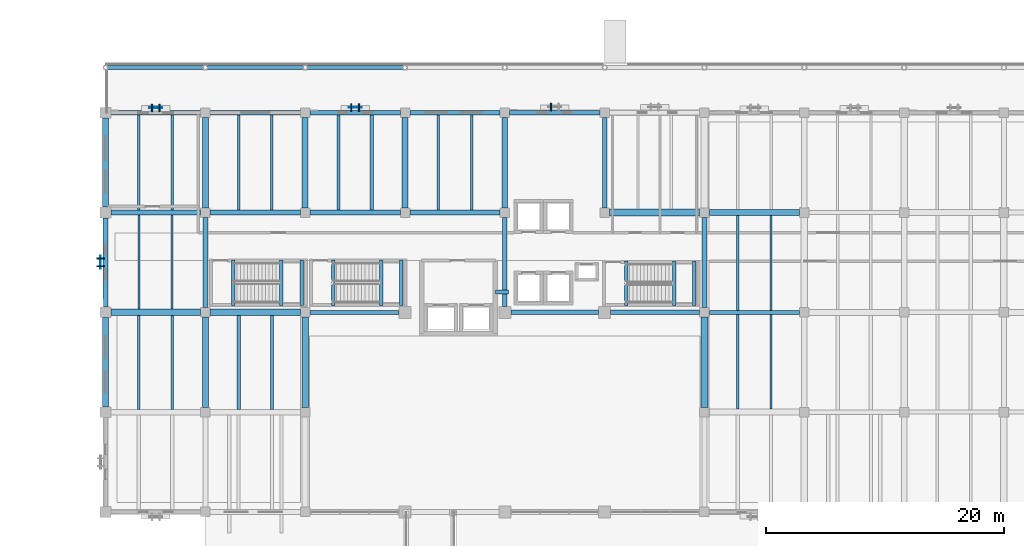
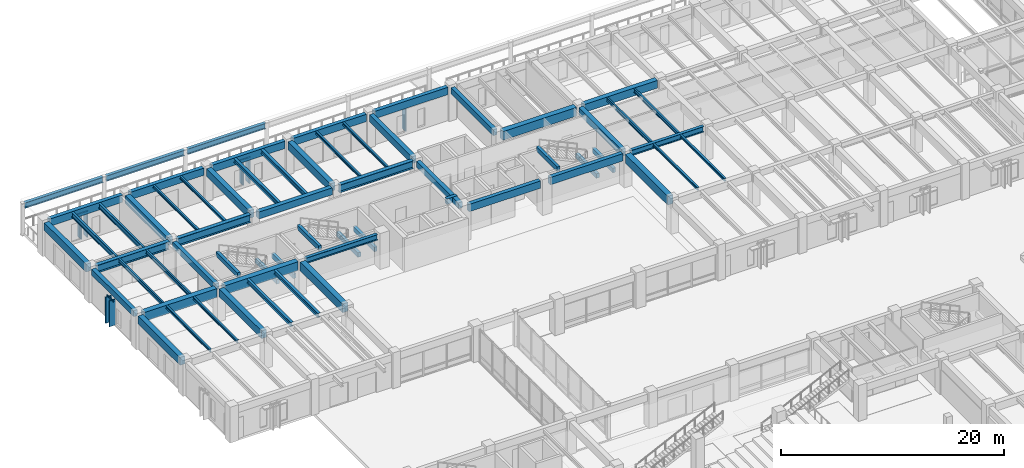
# One storey, part 41 of 135: 62 beams, 10 members, 4 elements without a shape of their own.
"""IFC4 building model written with IfcOpenShell, lengths in metres."""

from ifc_helpers import new_model, si_unit, direction, frame, origin, origin_2d, place, context, subcontext, project, spatial, rectangle, i_section, extrude, material, material_profile, profile_set, type_object, element, aggregate, save


model = new_model("IFC4")

# Units and contexts
model_context = context("Model", 3, precision=1e-05, world=origin(), true_north=direction((0.0, 1.0)))
body_context = subcontext(model_context, "Body", "Model", "MODEL_VIEW")
ifc_project = project(units=[si_unit("LENGTHUNIT", "METRE"), si_unit("AREAUNIT", "SQUARE_METRE"), si_unit("VOLUMEUNIT", "CUBIC_METRE"), si_unit("PLANEANGLEUNIT", "RADIAN"), si_unit("MASSUNIT", "GRAM", prefix="KILO")], contexts=[model_context])

# Site, building, storey
site_placement = place(None, origin())
site = spatial("IfcSite", under=ifc_project, at=site_placement, CompositionType="ELEMENT")
building_placement = place(site_placement, origin())
building = spatial("IfcBuilding", under=site, at=building_placement, Name="Cumbredor Promenade Congress Hotel", CompositionType="ELEMENT")
storey_placement = place(building_placement, origin())
storey = spatial("IfcBuildingStorey", under=building, at=storey_placement, Name="L00", CompositionType="ELEMENT", Elevation=0.0)

# Beams
ifc_material_1 = material(Name="Concrete C40/50", Category="concrete")
ifc_material_profile_1 = material_profile(ifc_material_1, rectangle(XDim=0.39990234375, YDim=0.64990234375, at=origin_2d()), Name="RC BEAM 400x650")
ifc_profile_set_1 = profile_set([ifc_material_profile_1], Name="Concrete C40/50")
beam_type_1 = type_object("IfcBeamType", Name="BM-RC-400x650", PredefinedType="BEAM", material=ifc_profile_set_1)
beam_1_placement = place(storey_placement, frame((0.0, 101.25, 3.31494140625), z_axis=(0.0, 1.0, 0.0), x_axis=(-1.0, 0.0, 0.0)))
element("IfcBeam", 1, at=beam_1_placement, inside=storey, type_object=beam_type_1, Name="L01 Y-Grid Beam 006", PredefinedType="BEAM", context=body_context, shape_type="SweptSolid", body=[
    extrude(rectangle(XDim=0.39990234375, YDim=0.64990234375, at=origin_2d()), origin(), (0.0, 0.0, 1.0), 7.5),
])
beam_2_placement = place(storey_placement, frame((8.39990234375, 101.199951171875, 3.31494140625), z_axis=(0.0, 1.0, 0.0), x_axis=(-1.0, 0.0, 0.0)))
element("IfcBeam", 2, at=beam_2_placement, inside=storey, type_object=beam_type_1, Name="L01 Y-Grid Beam 030", PredefinedType="BEAM", context=body_context, shape_type="SweptSolid", body=[
    extrude(rectangle(XDim=0.39990234375, YDim=0.64990234375, at=origin_2d()), origin(), (0.0, 0.0, 1.0), 7.60009765625),
])
beam_3_placement = place(storey_placement, frame((33.60009765625, 101.300048828125, 3.31494140625), z_axis=(0.0, 1.0, 0.0), x_axis=(-1.0, 0.0, 0.0)))
element("IfcBeam", 3, at=beam_3_placement, inside=storey, type_object=beam_type_1, Name="L01 Y-Grid Beam 062", PredefinedType="BEAM", context=body_context, shape_type="SweptSolid", body=[
    extrude(rectangle(XDim=0.39990234375, YDim=0.64990234375, at=origin_2d()), origin(), (0.0, 0.0, 1.0), 7.5),
])
beam_4_placement = place(storey_placement, frame((42.0, 109.60009765625, 3.31494140625), z_axis=(0.0, 1.0, 0.0), x_axis=(-1.0, 0.0, 0.0)))
element("IfcBeam", 4, at=beam_4_placement, inside=storey, type_object=beam_type_1, Name="L01 Y-Grid Beam 070", PredefinedType="BEAM", context=body_context, shape_type="SweptSolid", body=[
    extrude(rectangle(XDim=0.39990234375, YDim=0.64990234375, at=origin_2d()), origin(), (0.0, 0.0, 1.0), 7.599853515625),
])
ifc_material_profile_2 = material_profile(ifc_material_1, rectangle(XDim=0.449951171875, YDim=0.75, at=origin_2d()), Name="RC BEAM 450x750")
ifc_profile_set_2 = profile_set([ifc_material_profile_2], Name="Concrete C40/50")
beam_type_2 = type_object("IfcBeamType", Name="BM-RC-450x750", PredefinedType="BEAM", material=ifc_profile_set_2)
beam_5_placement = place(storey_placement, frame((17.199951171875, 109.199951171875, 3.264892578125), z_axis=(1.0, 0.0, 0.0), x_axis=(0.0, 1.0, 0.0)))
element("IfcBeam", 5, at=beam_5_placement, inside=storey, type_object=beam_type_2, Name="L01 X-Grid Beam 047", PredefinedType="BEAM", context=body_context, shape_type="SweptSolid", body=[
    extrude(rectangle(XDim=0.449951171875, YDim=0.75, at=origin_2d()), origin(), (0.0, 0.0, 1.0), 7.60009765625),
])
beam_6_placement = place(storey_placement, frame((33.60009765625, 109.60009765625, 3.264892578125), z_axis=(0.0, 1.0, 0.0), x_axis=(-1.0, 0.0, 0.0)))
element("IfcBeam", 6, at=beam_6_placement, inside=storey, type_object=beam_type_2, Name="L01 Y-Grid Beam 063", PredefinedType="BEAM", context=body_context, shape_type="SweptSolid", body=[
    extrude(rectangle(XDim=0.449951171875, YDim=0.75, at=origin_2d()), origin(), (0.0, 0.0, 1.0), 7.599853515625),
])
beam_7_placement = place(storey_placement, frame((50.39990234375, 101.199951171875, 3.264892578125), z_axis=(0.0, 1.0, 0.0), x_axis=(-1.0, 0.0, 0.0)))
element("IfcBeam", 7, at=beam_7_placement, inside=storey, type_object=beam_type_2, Name="L01 Y-Grid Beam 083", PredefinedType="BEAM", context=body_context, shape_type="SweptSolid", body=[
    extrude(rectangle(XDim=0.449951171875, YDim=0.75, at=origin_2d()), origin(), (0.0, 0.0, 1.0), 7.60009765625),
])
ifc_material_profile_3 = material_profile(ifc_material_1, rectangle(XDim=0.5, YDim=0.85009765625, at=origin_2d()), Name="RC BEAM 500x850")
ifc_profile_set_3 = profile_set([ifc_material_profile_3], Name="Concrete C40/50")
beam_type_3 = type_object("IfcBeamType", Name="BM-RC-500x850", PredefinedType="BEAM", material=ifc_profile_set_3)
for number, where, z_axis, x_axis, name in (
    (8, (0.0, 92.85009765625, 3.215087890625), (0.0, 1.0, 0.0), (-1.0, 0.0, 0.0), "L01 Y-Grid Beam 004"),
    (9, (0.0, 109.64990234375, 3.215087890625), (0.0, 1.0, 0.0), (-1.0, 0.0, 0.0), "L01 Y-Grid Beam 008"),
):
    element("IfcBeam", number, at=place(storey_placement, frame(where, z_axis=z_axis, x_axis=x_axis)), inside=storey, type_object=beam_type_3, Name=name, PredefinedType="BEAM", context=body_context, shape_type="SweptSolid", body=[
        extrude(rectangle(XDim=0.5, YDim=0.85009765625, at=origin_2d()), origin(), (0.0, 0.0, 1.0), 7.5),
    ])
for number, where, z_axis, x_axis, name in (
    (10, (8.39990234375, 92.800048828125, 3.215087890625), (0.0, 1.0, 0.0), (-1.0, 0.0, 0.0), "L01 Y-Grid Beam 028"),
    (11, (8.39990234375, 109.60009765625, 3.215087890625), (0.0, 1.0, 0.0), (-1.0, 0.0, 0.0), "L01 Y-Grid Beam 032"),
    (12, (16.800048828125, 109.60009765625, 3.215087890625), (0.0, 1.0, 0.0), (-1.0, 0.0, 0.0), "L01 Y-Grid Beam 048"),
    (13, (25.199951171875, 109.60009765625, 3.215087890625), (0.0, 1.0, 0.0), (-1.0, 0.0, 0.0), "L01 Y-Grid Beam 056"),
    (14, (50.800048828125, 109.199951171875, 3.215087890625), (1.0, 0.0, 0.0), (0.0, 1.0, 0.0), "L01 X-Grid Beam 084"),
):
    element("IfcBeam", number, at=place(storey_placement, frame(where, z_axis=z_axis, x_axis=x_axis)), inside=storey, type_object=beam_type_3, Name=name, PredefinedType="BEAM", context=body_context, shape_type="SweptSolid", body=[
        extrude(rectangle(XDim=0.5, YDim=0.85009765625, at=origin_2d()), origin(), (0.0, 0.0, 1.0), 7.599853515625),
    ])
ifc_material_profile_4 = material_profile(ifc_material_1, rectangle(XDim=0.550048828125, YDim=0.949951171875, at=origin_2d()), Name="RC BEAM 550x950")
ifc_profile_set_4 = profile_set([ifc_material_profile_4], Name="Concrete C40/50")
beam_type_4 = type_object("IfcBeamType", Name="BM-RC-550x950", PredefinedType="BEAM", material=ifc_profile_set_4)
beam_8_placement = place(storey_placement, frame((0.449951171875, 100.800048828125, 3.1650390625), z_axis=(1.0, 0.0, 0.0), x_axis=(0.0, 1.0, 0.0)))
element("IfcBeam", 15, at=beam_8_placement, inside=storey, type_object=beam_type_4, Name="L01 X-Grid Beam 005", PredefinedType="BEAM", context=body_context, shape_type="SweptSolid", body=[
    extrude(rectangle(XDim=0.550048828125, YDim=0.949951171875, at=origin_2d()), origin(), (0.0, 0.0, 1.0), 7.550048828125),
])
for number, where, z_axis, x_axis, name in (
    (16, (8.800048828125, 100.800048828125, 3.1650390625), (1.0, 0.0, 0.0), (0.0, 1.0, 0.0), "L01 X-Grid Beam 029"),
    (17, (16.800048828125, 92.800048828125, 3.1650390625), (0.0, 1.0, 0.0), (-1.0, 0.0, 0.0), "L01 Y-Grid Beam 045"),
):
    element("IfcBeam", number, at=place(storey_placement, frame(where, z_axis=z_axis, x_axis=x_axis)), inside=storey, type_object=beam_type_4, Name=name, PredefinedType="BEAM", context=body_context, shape_type="SweptSolid", body=[
        extrude(rectangle(XDim=0.550048828125, YDim=0.949951171875, at=origin_2d()), origin(), (0.0, 0.0, 1.0), 7.599853515625),
    ])
beam_9_placement = place(storey_placement, frame((42.39990234375, 109.199951171875, 3.1650390625), z_axis=(1.0, 0.0, 0.0), x_axis=(0.0, 1.0, 0.0)))
element("IfcBeam", 18, at=beam_9_placement, inside=storey, type_object=beam_type_4, Name="L01 X-Grid Beam 069", PredefinedType="BEAM", context=body_context, shape_type="SweptSolid", body=[
    extrude(rectangle(XDim=0.550048828125, YDim=0.949951171875, at=origin_2d()), origin(), (0.0, 0.0, 1.0), 7.60009765625),
])
beam_10_placement = place(storey_placement, frame((50.39990234375, 92.800048828125, 3.1650390625), z_axis=(0.0, 1.0, 0.0), x_axis=(-1.0, 0.0, 0.0)))
element("IfcBeam", 19, at=beam_10_placement, inside=storey, type_object=beam_type_4, Name="L01 Y-Grid Beam 081", PredefinedType="BEAM", context=body_context, shape_type="SweptSolid", body=[
    extrude(rectangle(XDim=0.550048828125, YDim=0.949951171875, at=origin_2d()), origin(), (0.0, 0.0, 1.0), 7.599853515625),
])
ifc_material_2 = material(Name="Steel ASTM A992 Grade 50", Category="steel")
ifc_material_profile_5 = material_profile(ifc_material_2, i_section(OverallWidth=0.323974609375, OverallDepth=0.611083984375, WebThickness=0.0126953125, FlangeThickness=0.01904296875, at=origin_2d()), Name="W24X104")
ifc_profile_set_5 = profile_set([ifc_material_profile_5], Name="Steel ASTM A992 Grade 50")
beam_type_5 = type_object("IfcBeamType", Name="BM-W24X104", PredefinedType="BEAM", material=ifc_profile_set_5)
beam_11_placement = place(storey_placement, frame((0.159912109375, 121.39990234375, 2.8798828125), z_axis=(1.0, 0.0, 0.0), x_axis=(0.0, 1.0, 0.0)))
element("IfcBeam", 20, at=beam_11_placement, inside=storey, type_object=beam_type_5, Name="North Portico Edge Beam 01", PredefinedType="BEAM", context=body_context, shape_type="SweptSolid", body=[
    extrude(i_section(OverallWidth=0.323974609375, OverallDepth=0.611083984375, WebThickness=0.0126953125, FlangeThickness=0.01904296875, at=origin_2d()), origin(), (0.0, 0.0, 1.0), 8.080078125),
])
beam_12_placement = place(storey_placement, frame((8.56005859375, 121.39990234375, 2.8798828125), z_axis=(1.0, 0.0, 0.0), x_axis=(0.0, 1.0, 0.0)))
element("IfcBeam", 21, at=beam_12_placement, inside=storey, type_object=beam_type_5, Name="North Portico Edge Beam 02", PredefinedType="BEAM", context=body_context, shape_type="SweptSolid", body=[
    extrude(i_section(OverallWidth=0.323974609375, OverallDepth=0.611083984375, WebThickness=0.0126953125, FlangeThickness=0.01904296875, at=origin_2d()), origin(), (0.0, 0.0, 1.0), 8.079833984375),
])
beam_13_placement = place(storey_placement, frame((16.9599609375, 121.39990234375, 2.8798828125), z_axis=(1.0, 0.0, 0.0), x_axis=(0.0, 1.0, 0.0)))
element("IfcBeam", 22, at=beam_13_placement, inside=storey, type_object=beam_type_5, Name="North Portico Edge Beam 03", PredefinedType="BEAM", context=body_context, shape_type="SweptSolid", body=[
    extrude(i_section(OverallWidth=0.323974609375, OverallDepth=0.611083984375, WebThickness=0.0126953125, FlangeThickness=0.01904296875, at=origin_2d()), origin(), (0.0, 0.0, 1.0), 8.080078125),
])
beam_14_placement = place(storey_placement, frame((17.199951171875, 100.800048828125, 3.33447265625), z_axis=(1.0, 0.0, 0.0), x_axis=(0.0, 1.0, 0.0)))
element("IfcBeam", 23, at=beam_14_placement, inside=storey, type_object=beam_type_5, Name="L01 X-Grid Beam 046", PredefinedType="BEAM", context=body_context, shape_type="SweptSolid", body=[
    extrude(i_section(OverallWidth=0.323974609375, OverallDepth=0.611083984375, WebThickness=0.0126953125, FlangeThickness=0.01904296875, at=origin_2d()), origin(), (0.0, 0.0, 1.0), 7.5),
])
beam_15_placement = place(storey_placement, frame((50.800048828125, 100.800048828125, 3.33447265625), z_axis=(1.0, 0.0, 0.0), x_axis=(0.0, 1.0, 0.0)))
element("IfcBeam", 24, at=beam_15_placement, inside=storey, type_object=beam_type_5, Name="L01 X-Grid Beam 082", PredefinedType="BEAM", context=body_context, shape_type="SweptSolid", body=[
    extrude(i_section(OverallWidth=0.323974609375, OverallDepth=0.611083984375, WebThickness=0.0126953125, FlangeThickness=0.01904296875, at=origin_2d()), origin(), (0.0, 0.0, 1.0), 7.599853515625),
])
ifc_material_profile_6 = material_profile(ifc_material_2, i_section(OverallWidth=0.39990234375, OverallDepth=0.85498046875, WebThickness=0.018310546875, FlangeThickness=0.029296875, at=origin_2d()), Name="W33X201")
ifc_profile_set_6 = profile_set([ifc_material_profile_6], Name="Steel ASTM A992 Grade 50")
beam_type_6 = type_object("IfcBeamType", Name="BM-W33X201", PredefinedType="BEAM", material=ifc_profile_set_6)
beam_16_placement = place(storey_placement, frame((0.449951171875, 109.199951171875, 3.21240234375), z_axis=(1.0, 0.0, 0.0), x_axis=(0.0, 1.0, 0.0)))
element("IfcBeam", 25, at=beam_16_placement, inside=storey, type_object=beam_type_6, Name="L01 X-Grid Beam 007", PredefinedType="BEAM", context=body_context, shape_type="SweptSolid", body=[
    extrude(i_section(OverallWidth=0.39990234375, OverallDepth=0.85498046875, WebThickness=0.018310546875, FlangeThickness=0.029296875, at=origin_2d()), origin(), (0.0, 0.0, 1.0), 7.550048828125),
])
for number, where, z_axis, x_axis, name in (
    (26, (8.800048828125, 109.199951171875, 3.21240234375), (1.0, 0.0, 0.0), (0.0, 1.0, 0.0), "L01 X-Grid Beam 031"),
    (27, (25.60009765625, 109.199951171875, 3.21240234375), (1.0, 0.0, 0.0), (0.0, 1.0, 0.0), "L01 X-Grid Beam 055"),
):
    element("IfcBeam", number, at=place(storey_placement, frame(where, z_axis=z_axis, x_axis=x_axis)), inside=storey, type_object=beam_type_6, Name=name, PredefinedType="BEAM", context=body_context, shape_type="SweptSolid", body=[
        extrude(i_section(OverallWidth=0.39990234375, OverallDepth=0.85498046875, WebThickness=0.018310546875, FlangeThickness=0.029296875, at=origin_2d()), origin(), (0.0, 0.0, 1.0), 7.599853515625),
    ])

# Curtain wall, member
ifc_material_3 = material(Name="Thermally broken anodized aluminium and low-E glass", Category="aluminium")
curtain_wall_type = type_object("IfcCurtainWallType", Name="Solar Brise-Soleil Screen Assembly CW-07", PredefinedType="NOTDEFINED", material=ifc_material_3)
curtain_wall_1_placement = place(storey_placement, origin())
curtain_wall_1 = element("IfcCurtainWall", 28, at=curtain_wall_1_placement, inside=storey, type_object=curtain_wall_type, Name="L00 Pier Brise-Soleil Screen 0109", PredefinedType="NOTDEFINED")
ifc_material_4 = material(Name="Thermally broken anodized aluminium", Category="aluminium")
ifc_material_profile_7 = material_profile(ifc_material_4, rectangle(XDim=0.06494140625, YDim=0.1298828125, at=origin_2d()), Name="ALU TRANSOM 65x130")
ifc_profile_set_7 = profile_set([ifc_material_profile_7], Name="Thermally broken anodized aluminium")
member_type_1 = type_object("IfcMemberType", Name="Curtain Wall Transom TR-01", PredefinedType="USERDEFINED", material=ifc_profile_set_7)
member_1_placement = place(storey_placement, frame((3.675048828125, 118.010009765625, 2.6650390625), z_axis=(1.0, 0.0, 0.0), x_axis=(0.0, 1.0, 0.0)))
member_1 = element("IfcMember", 29, at=member_1_placement, type_object=member_type_1, Name="L00 Pier Brise-Soleil Header 0111", ObjectType="TRANSOM", PredefinedType="USERDEFINED", context=body_context, shape_type="SweptSolid", body=[
    extrude(rectangle(XDim=0.06494140625, YDim=0.1298828125, at=origin_2d()), origin(), (0.0, 0.0, 1.0), 1.099853515625),
])

curtain_wall_2_placement = place(storey_placement, origin())
curtain_wall_2 = element("IfcCurtainWall", 30, at=curtain_wall_2_placement, inside=storey, type_object=curtain_wall_type, Name="L00 Pier Brise-Soleil Screen 0112", PredefinedType="NOTDEFINED")
member_2_placement = place(storey_placement, frame((20.449951171875, 118.034912109375, 2.6650390625), z_axis=(1.0, 0.0, 0.0), x_axis=(0.0, 1.0, 0.0)))
member_2 = element("IfcMember", 31, at=member_2_placement, type_object=member_type_1, Name="L00 Pier Brise-Soleil Header 0114", ObjectType="TRANSOM", PredefinedType="USERDEFINED", context=body_context, shape_type="SweptSolid", body=[
    extrude(rectangle(XDim=0.06494140625, YDim=0.1298828125, at=origin_2d()), origin(), (0.0, 0.0, 1.0), 1.10009765625),
])

curtain_wall_3_placement = place(storey_placement, origin())
curtain_wall_3 = element("IfcCurtainWall", 32, at=curtain_wall_3_placement, inside=storey, type_object=curtain_wall_type, Name="L00 Pier Brise-Soleil Screen 0136", PredefinedType="NOTDEFINED")
member_3_placement = place(storey_placement, frame((-0.43505859375, 104.449951171875, 2.81494140625), z_axis=(0.0, 1.0, 0.0), x_axis=(-1.0, 0.0, 0.0)))
member_3 = element("IfcMember", 33, at=member_3_placement, type_object=member_type_1, Name="L00 Pier Brise-Soleil Header 0138", ObjectType="TRANSOM", PredefinedType="USERDEFINED", context=body_context, shape_type="SweptSolid", body=[
    extrude(rectangle(XDim=0.06494140625, YDim=0.1298828125, at=origin_2d()), origin(), (0.0, 0.0, 1.0), 1.10009765625),
])

# Beams
ifc_material_profile_8 = material_profile(ifc_material_2, i_section(OverallWidth=0.202880859375, OverallDepth=0.302978515625, WebThickness=0.007568359375, FlangeThickness=0.01318359375, at=origin_2d()), Name="W12X40")
ifc_profile_set_8 = profile_set([ifc_material_profile_8], Name="Steel ASTM A992 Grade 50")
beam_type_7 = type_object("IfcBeamType", Name="JST-W12X40", PredefinedType="JOIST", material=ifc_profile_set_8)
for number, where, z_axis, x_axis, name in (
    (34, (2.800048828125, 92.625, 3.488525390625), (0.0, 1.0, 0.0), (-1.0, 0.0, 0.0), "L01 Secondary Floor Joist 0003"),
    (35, (5.60009765625, 92.625, 3.488525390625), (0.0, 1.0, 0.0), (-1.0, 0.0, 0.0), "L01 Secondary Floor Joist 0004"),
):
    element("IfcBeam", number, at=place(storey_placement, frame(where, z_axis=z_axis, x_axis=x_axis)), inside=storey, type_object=beam_type_7, Name=name, PredefinedType="JOIST", context=body_context, shape_type="SweptSolid", body=[
        extrude(i_section(OverallWidth=0.202880859375, OverallDepth=0.302978515625, WebThickness=0.007568359375, FlangeThickness=0.01318359375, at=origin_2d()), origin(), (0.0, 0.0, 1.0), 7.89990234375),
    ])
for number, where, z_axis, x_axis, name in (
    (36, (11.199951171875, 109.39990234375, 3.488525390625), (0.0, 1.0, 0.0), (-1.0, 0.0, 0.0), "L01 Secondary Floor Joist 0023"),
    (37, (14.0, 109.39990234375, 3.488525390625), (0.0, 1.0, 0.0), (-1.0, 0.0, 0.0), "L01 Secondary Floor Joist 0024"),
    (38, (28.0, 109.39990234375, 3.488525390625), (0.0, 1.0, 0.0), (-1.0, 0.0, 0.0), "L01 Secondary Floor Joist 0028"),
    (39, (30.800048828125, 109.39990234375, 3.488525390625), (0.0, 1.0, 0.0), (-1.0, 0.0, 0.0), "L01 Secondary Floor Joist 0029"),
):
    element("IfcBeam", number, at=place(storey_placement, frame(where, z_axis=z_axis, x_axis=x_axis)), inside=storey, type_object=beam_type_7, Name=name, PredefinedType="JOIST", context=body_context, shape_type="SweptSolid", body=[
        extrude(i_section(OverallWidth=0.202880859375, OverallDepth=0.302978515625, WebThickness=0.007568359375, FlangeThickness=0.01318359375, at=origin_2d()), origin(), (0.0, 0.0, 1.0), 8.0),
    ])
for number, where, z_axis, x_axis, name in (
    (40, (53.199951171875, 92.64990234375, 3.488525390625), (0.0, 1.0, 0.0), (-1.0, 0.0, 0.0), "L01 Secondary Floor Joist 0038"),
    (41, (56.0, 92.64990234375, 3.488525390625), (0.0, 1.0, 0.0), (-1.0, 0.0, 0.0), "L01 Secondary Floor Joist 0039"),
):
    element("IfcBeam", number, at=place(storey_placement, frame(where, z_axis=z_axis, x_axis=x_axis)), inside=storey, type_object=beam_type_7, Name=name, PredefinedType="JOIST", context=body_context, shape_type="SweptSolid", body=[
        extrude(i_section(OverallWidth=0.202880859375, OverallDepth=0.302978515625, WebThickness=0.007568359375, FlangeThickness=0.01318359375, at=origin_2d()), origin(), (0.0, 0.0, 1.0), 7.988037109375),
    ])
ifc_material_profile_9 = material_profile(ifc_material_2, i_section(OverallWidth=0.180908203125, OverallDepth=0.4169921875, WebThickness=0.010986328125, FlangeThickness=0.018310546875, at=origin_2d()), Name="W16X57")
ifc_profile_set_9 = profile_set([ifc_material_profile_9], Name="Steel ASTM A992 Grade 50")
beam_type_8 = type_object("IfcBeamType", Name="JST-W16X57", PredefinedType="JOIST", material=ifc_profile_set_9)
for number, where, z_axis, x_axis, name in (
    (42, (2.800048828125, 101.074951171875, 3.431396484375), (0.0, 1.0, 0.0), (-1.0, 0.0, 0.0), "L01 Secondary Floor Joist 0005"),
    (43, (5.60009765625, 101.074951171875, 3.431396484375), (0.0, 1.0, 0.0), (-1.0, 0.0, 0.0), "L01 Secondary Floor Joist 0006"),
):
    element("IfcBeam", number, at=place(storey_placement, frame(where, z_axis=z_axis, x_axis=x_axis)), inside=storey, type_object=beam_type_8, Name=name, PredefinedType="JOIST", context=body_context, shape_type="SweptSolid", body=[
        extrude(i_section(OverallWidth=0.180908203125, OverallDepth=0.4169921875, WebThickness=0.010986328125, FlangeThickness=0.018310546875, at=origin_2d()), origin(), (0.0, 0.0, 1.0), 7.925048828125),
    ])
for number, where, z_axis, x_axis, name in (
    (44, (53.199951171875, 100.9619140625, 3.431396484375), (0.0, 1.0, 0.0), (-1.0, 0.0, 0.0), "L01 Secondary Floor Joist 0040"),
    (45, (56.0, 100.9619140625, 3.431396484375), (0.0, 1.0, 0.0), (-1.0, 0.0, 0.0), "L01 Secondary Floor Joist 0041"),
):
    element("IfcBeam", number, at=place(storey_placement, frame(where, z_axis=z_axis, x_axis=x_axis)), inside=storey, type_object=beam_type_8, Name=name, PredefinedType="JOIST", context=body_context, shape_type="SweptSolid", body=[
        extrude(i_section(OverallWidth=0.180908203125, OverallDepth=0.4169921875, WebThickness=0.010986328125, FlangeThickness=0.018310546875, at=origin_2d()), origin(), (0.0, 0.0, 1.0), 7.988037109375),
    ])
ifc_material_profile_10 = material_profile(ifc_material_2, i_section(OverallWidth=0.280029296875, OverallDepth=0.462890625, WebThickness=0.0107421875, FlangeThickness=0.017333984375, at=origin_2d()), Name="W18X76")
ifc_profile_set_10 = profile_set([ifc_material_profile_10], Name="Steel ASTM A992 Grade 50")
beam_type_9 = type_object("IfcBeamType", Name="JST-W18X76", PredefinedType="JOIST", material=ifc_profile_set_10)
for number, where, z_axis, x_axis, name in (
    (46, (11.199951171875, 92.625, 3.408447265625), (0.0, 1.0, 0.0), (-1.0, 0.0, 0.0), "L01 Secondary Floor Joist 0021"),
    (47, (14.0, 92.625, 3.408447265625), (0.0, 1.0, 0.0), (-1.0, 0.0, 0.0), "L01 Secondary Floor Joist 0022"),
):
    element("IfcBeam", number, at=place(storey_placement, frame(where, z_axis=z_axis, x_axis=x_axis)), inside=storey, type_object=beam_type_9, Name=name, PredefinedType="JOIST", context=body_context, shape_type="SweptSolid", body=[
        extrude(i_section(OverallWidth=0.280029296875, OverallDepth=0.462890625, WebThickness=0.0107421875, FlangeThickness=0.017333984375, at=origin_2d()), origin(), (0.0, 0.0, 1.0), 7.89990234375),
    ])
for number, where, z_axis, x_axis, name in (
    (48, (19.60009765625, 109.425048828125, 3.408447265625), (0.0, 1.0, 0.0), (-1.0, 0.0, 0.0), "L01 Secondary Floor Joist 0026"),
    (49, (22.39990234375, 109.425048828125, 3.408447265625), (0.0, 1.0, 0.0), (-1.0, 0.0, 0.0), "L01 Secondary Floor Joist 0027"),
):
    element("IfcBeam", number, at=place(storey_placement, frame(where, z_axis=z_axis, x_axis=x_axis)), inside=storey, type_object=beam_type_9, Name=name, PredefinedType="JOIST", context=body_context, shape_type="SweptSolid", body=[
        extrude(i_section(OverallWidth=0.280029296875, OverallDepth=0.462890625, WebThickness=0.0107421875, FlangeThickness=0.017333984375, at=origin_2d()), origin(), (0.0, 0.0, 1.0), 7.974853515625),
    ])
ifc_material_profile_11 = material_profile(ifc_material_2, i_section(OverallWidth=0.214111328125, OverallDepth=0.549072265625, WebThickness=0.0146484375, FlangeThickness=0.023681640625, at=origin_2d()), Name="W21X93")
ifc_profile_set_11 = profile_set([ifc_material_profile_11], Name="Steel ASTM A992 Grade 50")
beam_type_10 = type_object("IfcBeamType", Name="JST-W21X93", PredefinedType="JOIST", material=ifc_profile_set_11)
for number, where, z_axis, x_axis, name in (
    (50, (2.800048828125, 109.39990234375, 3.365478515625), (0.0, 1.0, 0.0), (-1.0, 0.0, 0.0), "L01 Secondary Floor Joist 0007"),
    (51, (5.60009765625, 109.39990234375, 3.365478515625), (0.0, 1.0, 0.0), (-1.0, 0.0, 0.0), "L01 Secondary Floor Joist 0008"),
):
    element("IfcBeam", number, at=place(storey_placement, frame(where, z_axis=z_axis, x_axis=x_axis)), inside=storey, type_object=beam_type_10, Name=name, PredefinedType="JOIST", context=body_context, shape_type="SweptSolid", body=[
        extrude(i_section(OverallWidth=0.214111328125, OverallDepth=0.549072265625, WebThickness=0.0146484375, FlangeThickness=0.023681640625, at=origin_2d()), origin(), (0.0, 0.0, 1.0), 8.0),
    ])
ifc_material_profile_12 = material_profile(ifc_material_1, rectangle(XDim=0.300048828125, YDim=0.5, at=origin_2d()), Name="RC LINTEL 300x500")
ifc_profile_set_12 = profile_set([ifc_material_profile_12], Name="Concrete C40/50")
beam_type_11 = type_object("IfcBeamType", Name="LN-RC-300x500", PredefinedType="LINTEL", material=ifc_profile_set_12)
for number, where, z_axis, x_axis, name in (
    (52, (16.5, 101.3701171875, 1.510009765625), (0.0, 1.0, 0.0), (-1.0, 0.0, 0.0), "L00 Stair ST-01 Landing Ledger Beam E"),
    (53, (14.800048828125, 101.3701171875, 1.510009765625), (0.0, 1.0, 0.0), (-1.0, 0.0, 0.0), "L00 Stair ST-01 Landing Ledger Beam W"),
    (54, (10.75, 101.3701171875, 3.669921875), (0.0, 1.0, 0.0), (-1.0, 0.0, 0.0), "L01 Stair ST-01 Well Header Trimmer Beam"),
    (55, (24.89990234375, 101.3701171875, 1.510009765625), (0.0, 1.0, 0.0), (-1.0, 0.0, 0.0), "L00 Stair ST-02 Landing Ledger Beam E"),
    (56, (23.199951171875, 101.3701171875, 1.510009765625), (0.0, 1.0, 0.0), (-1.0, 0.0, 0.0), "L00 Stair ST-02 Landing Ledger Beam W"),
    (57, (19.14990234375, 101.3701171875, 3.669921875), (0.0, 1.0, 0.0), (-1.0, 0.0, 0.0), "L01 Stair ST-02 Well Header Trimmer Beam"),
):
    element("IfcBeam", number, at=place(storey_placement, frame(where, z_axis=z_axis, x_axis=x_axis)), inside=storey, type_object=beam_type_11, Name=name, PredefinedType="LINTEL", context=body_context, shape_type="SweptSolid", body=[
        extrude(rectangle(XDim=0.300048828125, YDim=0.5, at=origin_2d()), origin(), (0.0, 0.0, 1.0), 3.829833984375),
    ])
for number, where, z_axis, x_axis, name in (
    (58, (49.550048828125, 101.3701171875, 1.510009765625), (0.0, 1.0, 0.0), (-1.0, 0.0, 0.0), "L00 Stair ST-03 Landing Ledger Beam E"),
    (59, (47.85009765625, 101.3701171875, 1.510009765625), (0.0, 1.0, 0.0), (-1.0, 0.0, 0.0), "L00 Stair ST-03 Landing Ledger Beam W"),
    (60, (43.800048828125, 101.3701171875, 3.669921875), (0.0, 1.0, 0.0), (-1.0, 0.0, 0.0), "L01 Stair ST-03 Well Header Trimmer Beam"),
):
    element("IfcBeam", number, at=place(storey_placement, frame(where, z_axis=z_axis, x_axis=x_axis)), inside=storey, type_object=beam_type_11, Name=name, PredefinedType="LINTEL", context=body_context, shape_type="SweptSolid", body=[
        extrude(rectangle(XDim=0.300048828125, YDim=0.5, at=origin_2d()), origin(), (0.0, 0.0, 1.0), 3.72998046875),
    ])
ifc_material_profile_13 = material_profile(ifc_material_1, rectangle(XDim=0.35009765625, YDim=0.60009765625, at=origin_2d()), Name="RC LINTEL 350x600")
ifc_profile_set_13 = profile_set([ifc_material_profile_13], Name="Concrete C40/50")
beam_type_12 = type_object("IfcBeamType", Name="LN-RC-350x600", PredefinedType="LINTEL", material=ifc_profile_set_13)
beam_17_placement = place(storey_placement, frame((32.800048828125, 102.5, 3.340087890625), z_axis=(1.0, 0.0, 0.0), x_axis=(0.0, 1.0, 0.0)))
element("IfcBeam", 61, at=beam_17_placement, inside=storey, type_object=beam_type_12, Name="L00 Core Coupling Lintel Beam", PredefinedType="LINTEL", context=body_context, shape_type="SweptSolid", body=[
    extrude(rectangle(XDim=0.35009765625, YDim=0.60009765625, at=origin_2d()), origin(), (0.0, 0.0, 1.0), 1.099853515625),
])
ifc_material_profile_14 = material_profile(ifc_material_1, rectangle(XDim=0.39990234375, YDim=0.800048828125, at=origin_2d()), Name="RC SPANDREL 400x800")
ifc_profile_set_14 = profile_set([ifc_material_profile_14], Name="Concrete C40/50")
beam_type_13 = type_object("IfcBeamType", Name="SP-RC-400x800", PredefinedType="SPANDREL", material=ifc_profile_set_14)
beam_18_placement = place(storey_placement, frame((0.449951171875, 117.60009765625, 3.239990234375), z_axis=(1.0, 0.0, 0.0), x_axis=(0.0, 1.0, 0.0)))
element("IfcBeam", 62, at=beam_18_placement, inside=storey, type_object=beam_type_13, Name="L01 X-Grid Beam 009", PredefinedType="SPANDREL", context=body_context, shape_type="SweptSolid", body=[
    extrude(rectangle(XDim=0.39990234375, YDim=0.800048828125, at=origin_2d()), origin(), (0.0, 0.0, 1.0), 7.550048828125),
])
beam_19_placement = place(storey_placement, frame((8.800048828125, 117.60009765625, 3.239990234375), z_axis=(1.0, 0.0, 0.0), x_axis=(0.0, 1.0, 0.0)))
element("IfcBeam", 63, at=beam_19_placement, inside=storey, type_object=beam_type_13, Name="L01 X-Grid Beam 033", PredefinedType="SPANDREL", context=body_context, shape_type="SweptSolid", body=[
    extrude(rectangle(XDim=0.39990234375, YDim=0.800048828125, at=origin_2d()), origin(), (0.0, 0.0, 1.0), 7.599853515625),
])
beam_20_placement = place(storey_placement, frame((17.199951171875, 117.60009765625, 3.239990234375), z_axis=(1.0, 0.0, 0.0), x_axis=(0.0, 1.0, 0.0)))
element("IfcBeam", 64, at=beam_20_placement, inside=storey, type_object=beam_type_13, Name="L01 X-Grid Beam 049", PredefinedType="SPANDREL", context=body_context, shape_type="SweptSolid", body=[
    extrude(rectangle(XDim=0.39990234375, YDim=0.800048828125, at=origin_2d()), origin(), (0.0, 0.0, 1.0), 7.60009765625),
])
beam_21_placement = place(storey_placement, frame((25.60009765625, 117.60009765625, 3.239990234375), z_axis=(1.0, 0.0, 0.0), x_axis=(0.0, 1.0, 0.0)))
element("IfcBeam", 65, at=beam_21_placement, inside=storey, type_object=beam_type_13, Name="L01 X-Grid Beam 057", PredefinedType="SPANDREL", context=body_context, shape_type="SweptSolid", body=[
    extrude(rectangle(XDim=0.39990234375, YDim=0.800048828125, at=origin_2d()), origin(), (0.0, 0.0, 1.0), 7.599853515625),
])
beam_22_placement = place(storey_placement, frame((34.10009765625, 100.800048828125, 3.239990234375), z_axis=(1.0, 0.0, 0.0), x_axis=(0.0, 1.0, 0.0)))
element("IfcBeam", 66, at=beam_22_placement, inside=storey, type_object=beam_type_13, Name="L01 X-Grid Beam 061", PredefinedType="SPANDREL", context=body_context, shape_type="SweptSolid", body=[
    extrude(rectangle(XDim=0.39990234375, YDim=0.800048828125, at=origin_2d()), origin(), (0.0, 0.0, 1.0), 7.39990234375),
])
beam_23_placement = place(storey_placement, frame((34.0, 117.60009765625, 3.239990234375), z_axis=(1.0, 0.0, 0.0), x_axis=(0.0, 1.0, 0.0)))
element("IfcBeam", 67, at=beam_23_placement, inside=storey, type_object=beam_type_13, Name="L01 X-Grid Beam 064", PredefinedType="SPANDREL", context=body_context, shape_type="SweptSolid", body=[
    extrude(rectangle(XDim=0.39990234375, YDim=0.800048828125, at=origin_2d()), origin(), (0.0, 0.0, 1.0), 7.60009765625),
])
beam_24_placement = place(storey_placement, frame((42.5, 100.800048828125, 3.239990234375), z_axis=(1.0, 0.0, 0.0), x_axis=(0.0, 1.0, 0.0)))
element("IfcBeam", 68, at=beam_24_placement, inside=storey, type_object=beam_type_13, Name="L01 X-Grid Beam 068", PredefinedType="SPANDREL", context=body_context, shape_type="SweptSolid", body=[
    extrude(rectangle(XDim=0.39990234375, YDim=0.800048828125, at=origin_2d()), origin(), (0.0, 0.0, 1.0), 7.5),
])

# Member
ifc_material_profile_15 = material_profile(ifc_material_4, rectangle(XDim=0.110107421875, YDim=0.6201171875, at=origin_2d()), Name="ARCH FIN 110x620")
ifc_profile_set_15 = profile_set([ifc_material_profile_15], Name="Thermally broken anodized aluminium")
member_type_2 = type_object("IfcMemberType", Name="Vertical Bronze Brise-Soleil Fin BSF-02 110x620", PredefinedType="USERDEFINED", material=ifc_profile_set_15)
member_4_placement = place(storey_placement, frame((3.905029296875, 118.010009765625, 0.02001953125), z_axis=(0.0, 0.0, 1.0), x_axis=(1.0, 0.0, 0.0)))
member_4 = element("IfcMember", 69, at=member_4_placement, type_object=member_type_2, Name="L00 Pier Brise-Soleil Fin 0110", ObjectType="SOLAR FIN", PredefinedType="USERDEFINED", context=body_context, shape_type="SweptSolid", body=[
    extrude(rectangle(XDim=0.110107421875, YDim=0.6201171875, at=origin_2d()), origin(), (0.0, 0.0, 1.0), 2.68505859375),
])

member_5_placement = place(storey_placement, frame((4.544921875, 118.010009765625, 0.02001953125), z_axis=(0.0, 0.0, 1.0), x_axis=(1.0, 0.0, 0.0)))
member_5 = element("IfcMember", 70, at=member_5_placement, type_object=member_type_2, Name="L00 Pier Brise-Soleil Fin 0111", ObjectType="SOLAR FIN", PredefinedType="USERDEFINED", context=body_context, shape_type="SweptSolid", body=[
    extrude(rectangle(XDim=0.110107421875, YDim=0.6201171875, at=origin_2d()), origin(), (0.0, 0.0, 1.0), 2.68505859375),
])

aggregate(curtain_wall_1, [member_4, member_5, member_1])

member_6_placement = place(storey_placement, frame((20.679931640625, 118.034912109375, 0.02001953125), z_axis=(0.0, 0.0, 1.0), x_axis=(1.0, 0.0, 0.0)))
member_6 = element("IfcMember", 71, at=member_6_placement, type_object=member_type_2, Name="L00 Pier Brise-Soleil Fin 0113", ObjectType="SOLAR FIN", PredefinedType="USERDEFINED", context=body_context, shape_type="SweptSolid", body=[
    extrude(rectangle(XDim=0.110107421875, YDim=0.6201171875, at=origin_2d()), origin(), (0.0, 0.0, 1.0), 2.68505859375),
])

member_7_placement = place(storey_placement, frame((21.320068359375, 118.034912109375, 0.02001953125), z_axis=(0.0, 0.0, 1.0), x_axis=(1.0, 0.0, 0.0)))
member_7 = element("IfcMember", 72, at=member_7_placement, type_object=member_type_2, Name="L00 Pier Brise-Soleil Fin 0114", ObjectType="SOLAR FIN", PredefinedType="USERDEFINED", context=body_context, shape_type="SweptSolid", body=[
    extrude(rectangle(XDim=0.110107421875, YDim=0.6201171875, at=origin_2d()), origin(), (0.0, 0.0, 1.0), 2.68505859375),
])

aggregate(curtain_wall_2, [member_6, member_7, member_2])

# Curtain wall, member
curtain_wall_4_placement = place(storey_placement, origin())
curtain_wall_4 = element("IfcCurtainWall", 73, at=curtain_wall_4_placement, inside=storey, type_object=curtain_wall_type, Name="L00 Pier Brise-Soleil Screen 0115", PredefinedType="NOTDEFINED")
member_8_placement = place(storey_placement, frame((37.47998046875, 118.072509765625, 0.02001953125), z_axis=(0.0, 0.0, 1.0), x_axis=(1.0, 0.0, 0.0)))
member_8 = element("IfcMember", 74, at=member_8_placement, type_object=member_type_2, Name="L00 Pier Brise-Soleil Fin 0116", ObjectType="SOLAR FIN", PredefinedType="USERDEFINED", context=body_context, shape_type="SweptSolid", body=[
    extrude(rectangle(XDim=0.110107421875, YDim=0.6201171875, at=origin_2d()), origin(), (0.0, 0.0, 1.0), 2.68505859375),
])
aggregate(curtain_wall_4, [member_8])

# Member
member_9_placement = place(storey_placement, frame((-0.43505859375, 104.679931640625, 0.02001953125), z_axis=(0.0, 0.0, 1.0), x_axis=(0.0, 1.0, 0.0)))
member_9 = element("IfcMember", 75, at=member_9_placement, type_object=member_type_2, Name="L00 Pier Brise-Soleil Fin 0137", ObjectType="SOLAR FIN", PredefinedType="USERDEFINED", context=body_context, shape_type="SweptSolid", body=[
    extrude(rectangle(XDim=0.110107421875, YDim=0.6201171875, at=origin_2d()), origin(), (0.0, 0.0, 1.0), 2.8349609375),
])

member_10_placement = place(storey_placement, frame((-0.43505859375, 105.320068359375, 0.02001953125), z_axis=(0.0, 0.0, 1.0), x_axis=(0.0, 1.0, 0.0)))
member_10 = element("IfcMember", 76, at=member_10_placement, type_object=member_type_2, Name="L00 Pier Brise-Soleil Fin 0138", ObjectType="SOLAR FIN", PredefinedType="USERDEFINED", context=body_context, shape_type="SweptSolid", body=[
    extrude(rectangle(XDim=0.110107421875, YDim=0.6201171875, at=origin_2d()), origin(), (0.0, 0.0, 1.0), 2.8349609375),
])

aggregate(curtain_wall_3, [member_9, member_10, member_3])

save(model, "model.ifc")
